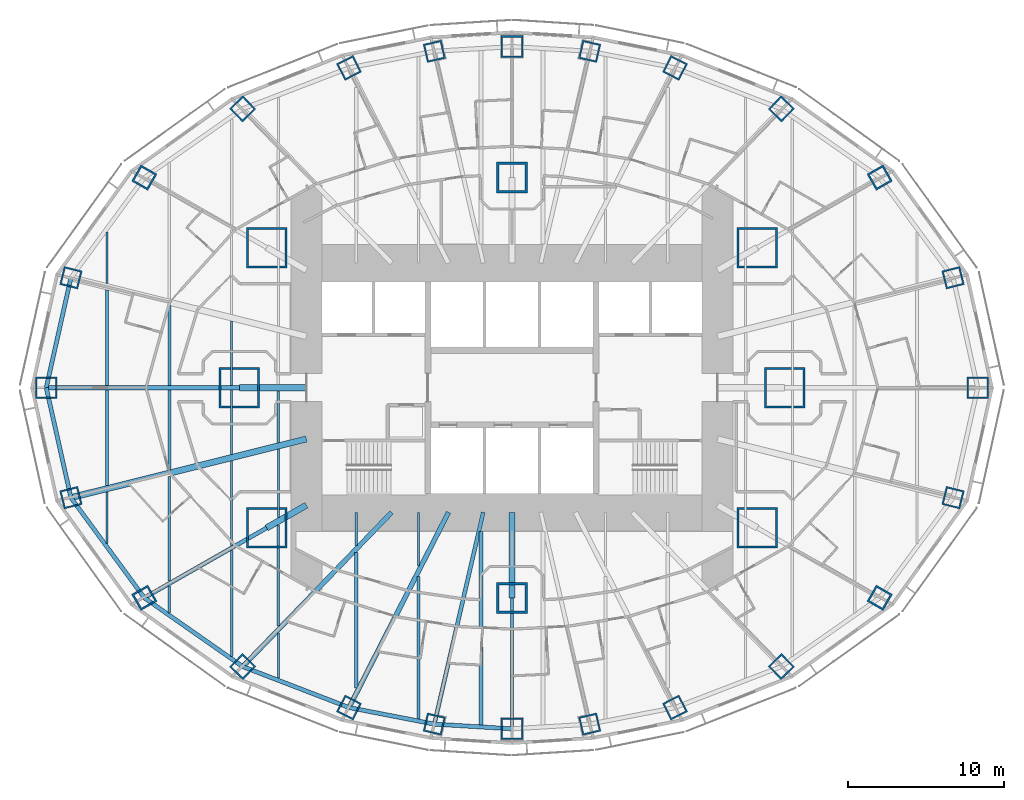
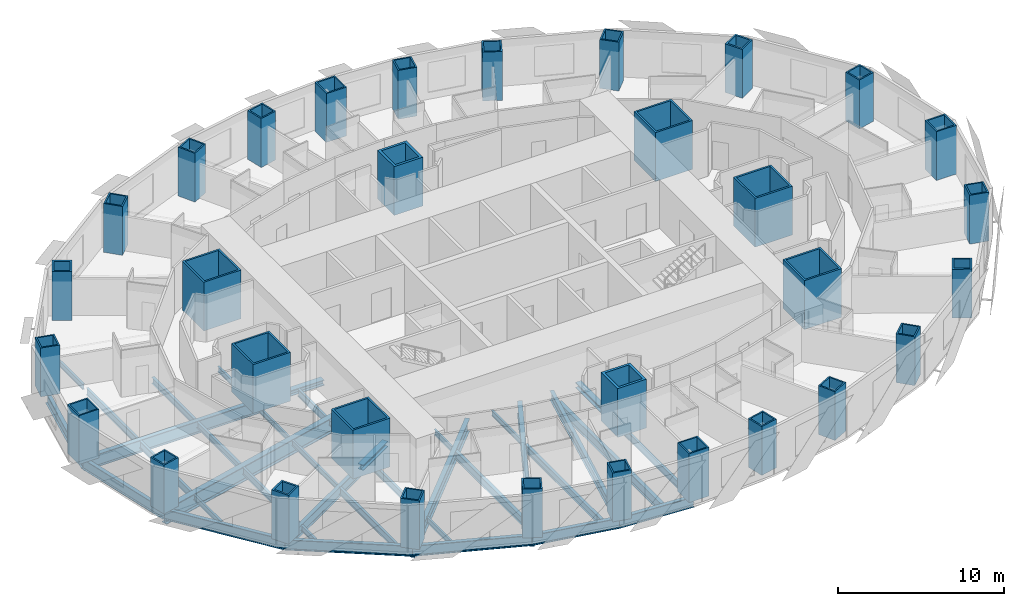
# One storey, part 1 of 17: 38 beams, 32 columns.
"""IFC4 building model written with IfcOpenShell, lengths in metres."""

from ifc_helpers import new_model, si_unit, direction, frame, origin, origin_2d, place, context, subcontext, project, spatial, rectangle, hollow_rectangle, i_section, extrude, material, material_profile, profile_set, type_object, element, save


model = new_model("IFC4")

# Units and contexts
model_context = context("Model", 3, precision=1e-05, world=origin(), true_north=direction((0.0, 1.0)))
body_context = subcontext(model_context, "Body", "Model", "MODEL_VIEW")
ifc_project = project(units=[si_unit("LENGTHUNIT", "METRE"), si_unit("AREAUNIT", "SQUARE_METRE"), si_unit("VOLUMEUNIT", "CUBIC_METRE"), si_unit("PLANEANGLEUNIT", "RADIAN"), si_unit("MASSUNIT", "GRAM", prefix="KILO")], contexts=[model_context])

# Site, building, storey
site_placement = place(None, origin())
site = spatial("IfcSite", under=ifc_project, at=site_placement, CompositionType="ELEMENT")
building_placement = place(site_placement, origin())
building = spatial("IfcBuilding", under=site, at=building_placement, Name="Lantaw Convention Tower", CompositionType="ELEMENT")
storey_placement = place(building_placement, frame((0.0, 0.0, 40.60009765625)))
storey = spatial("IfcBuildingStorey", under=building, at=storey_placement, Name="L07", CompositionType="ELEMENT", Elevation=40.60009765625)

# Columns
ifc_material_1 = material(Name="Steel EN 10025-3 S460N", Category="steel")
ifc_material_profile_1 = material_profile(ifc_material_1, hollow_rectangle(XDim=2.0, YDim=2.0, WallThickness=0.169921875, at=origin_2d()), Name="BOX2000X170")
ifc_material_2 = material(Name="Concrete C60/75", Category="concrete")
ifc_material_profile_2 = material_profile(ifc_material_2, rectangle(XDim=1.659912109375, YDim=1.659912109375, at=origin_2d()), Name="Concrete fill of BOX2000X170")
ifc_profile_set_1 = profile_set([ifc_material_profile_1, ifc_material_profile_2], Name="Steel EN 10025-3 S460N")
column_type_1 = type_object("IfcColumnType", Name="Column MC BOX2000X170", PredefinedType="COLUMN", material=ifc_profile_set_1)
for number, where, z_axis, x_axis, name in (
    (1, (0.0, 13.5, 0.0), (0.0, 0.0, 1.0), (1.0, 0.0, 0.0), "Mega column M3"),
    (2, (0.0, -13.5, 0.0), (0.0, 0.0, 1.0), (1.0, 0.0, 0.0), "Mega column M7"),
):
    element("IfcColumn", number, at=place(storey_placement, frame(where, z_axis=z_axis, x_axis=x_axis)), inside=storey, type_object=column_type_1, Name=name, PredefinedType="COLUMN", context=body_context, shape_type="SweptSolid", body=[
        extrude(hollow_rectangle(XDim=2.0, YDim=2.0, WallThickness=0.169921875, at=origin_2d()), origin(), (0.0, 0.0, 1.0), 3.599853515625),
    ])
ifc_material_profile_3 = material_profile(ifc_material_1, hollow_rectangle(XDim=2.60009765625, YDim=2.60009765625, WallThickness=0.1298828125, at=origin_2d()), Name="BOX2600X130")
ifc_material_profile_4 = material_profile(ifc_material_2, rectangle(XDim=2.340087890625, YDim=2.340087890625, at=origin_2d()), Name="Concrete fill of BOX2600X130")
ifc_profile_set_2 = profile_set([ifc_material_profile_3, ifc_material_profile_4], Name="Steel EN 10025-3 S460N")
column_type_2 = type_object("IfcColumnType", Name="Column MC BOX2600X130", PredefinedType="COLUMN", material=ifc_profile_set_2)
for number, where, z_axis, x_axis, name in (
    (3, (17.5, 0.0, 0.0), (0.0, 0.0, 1.0), (1.0, 0.0, 0.0), "Mega column M1"),
    (4, (15.75, 9.0, 0.0), (0.0, 0.0, 1.0), (1.0, 0.0, 0.0), "Mega column M2"),
    (5, (-15.75, 9.0, 0.0), (0.0, 0.0, 1.0), (1.0, 0.0, 0.0), "Mega column M4"),
    (6, (-17.5, 0.0, 0.0), (0.0, 0.0, 1.0), (1.0, 0.0, 0.0), "Mega column M5"),
    (7, (-15.75, -9.0, 0.0), (0.0, 0.0, 1.0), (1.0, 0.0, 0.0), "Mega column M6"),
    (8, (15.75, -9.0, 0.0), (0.0, 0.0, 1.0), (1.0, 0.0, 0.0), "Mega column M8"),
):
    element("IfcColumn", number, at=place(storey_placement, frame(where, z_axis=z_axis, x_axis=x_axis)), inside=storey, type_object=column_type_2, Name=name, PredefinedType="COLUMN", context=body_context, shape_type="SweptSolid", body=[
        extrude(hollow_rectangle(XDim=2.60009765625, YDim=2.60009765625, WallThickness=0.1298828125, at=origin_2d()), origin(), (0.0, 0.0, 1.0), 3.599853515625),
    ])
ifc_material_profile_5 = material_profile(ifc_material_1, hollow_rectangle(XDim=1.199951171875, YDim=1.199951171875, WallThickness=0.10009765625, at=origin_2d()), Name="BOX1200X100")
ifc_material_profile_6 = material_profile(ifc_material_2, rectangle(XDim=1.0, YDim=1.0, at=origin_2d()), Name="Concrete fill of BOX1200X100")
ifc_profile_set_3 = profile_set([ifc_material_profile_5, ifc_material_profile_6], Name="Steel EN 10025-3 S460N")
column_type_3 = type_object("IfcColumnType", Name="Column PC BOX1200X100", PredefinedType="COLUMN", material=ifc_profile_set_3)
for number, where, z_axis, x_axis, name in (
    (9, (28.31787109375, 7.060302734375, 0.0), (0.0, 0.0, 1.0), (0.970295726276, 0.2419218956, 0.0), "Perimeter column P2"),
    (10, (17.290771484375, 17.9052734375, 0.0), (0.0, 0.0, 1.0), (0.694658370459, 0.719339800339, 0.0), "Perimeter column P4"),
    (11, (10.462646484375, 20.533935546875, 0.0), (0.0, 0.0, 1.0), (0.45399049974, 0.891006524188, 0.0), "Perimeter column P5"),
    (12, (4.986328125, 21.59814453125, 0.0), (0.0, 0.0, 1.0), (0.224951054344, 0.974370064785, 0.0), "Perimeter column P6"),
    (13, (-4.986328125, 21.59814453125, 0.0), (0.0, 0.0, 1.0), (0.974370064785, 0.224951054344, 0.0), "Perimeter column P8"),
    (14, (-10.462646484375, 20.533935546875, 0.0), (0.0, 0.0, 1.0), (0.891006524188, 0.45399049974, 0.0), "Perimeter column P9"),
    (15, (-17.290771484375, 17.9052734375, 0.0), (0.0, 0.0, 1.0), (0.719339800339, 0.694658370459, 0.0), "Perimeter column P10"),
    (16, (-28.31787109375, 7.060302734375, 0.0), (0.0, 0.0, 1.0), (0.2419218956, 0.970295726276, 0.0), "Perimeter column P12"),
    (17, (-28.31787109375, -7.060302734375, 0.0), (0.0, 0.0, 1.0), (0.970295726276, 0.2419218956, 0.0), "Perimeter column P14"),
    (18, (-17.290771484375, -17.9052734375, 0.0), (0.0, 0.0, 1.0), (0.694658370459, 0.719339800339, 0.0), "Perimeter column P16"),
    (19, (-10.462646484375, -20.533935546875, 0.0), (0.0, 0.0, 1.0), (0.45399049974, 0.891006524188, 0.0), "Perimeter column P17"),
    (20, (-4.986328125, -21.59814453125, 0.0), (0.0, 0.0, 1.0), (0.224951054344, 0.974370064785, 0.0), "Perimeter column P18"),
    (21, (4.986328125, -21.59814453125, 0.0), (0.0, 0.0, 1.0), (0.974370064785, 0.224951054344, 0.0), "Perimeter column P20"),
    (22, (10.462646484375, -20.533935546875, 0.0), (0.0, 0.0, 1.0), (0.891006524188, 0.45399049974, 0.0), "Perimeter column P21"),
    (23, (17.290771484375, -17.9052734375, 0.0), (0.0, 0.0, 1.0), (0.719339800339, 0.694658370459, 0.0), "Perimeter column P22"),
    (24, (28.31787109375, -7.060302734375, 0.0), (0.0, 0.0, 1.0), (0.2419218956, 0.970295726276, 0.0), "Perimeter column P24"),
):
    element("IfcColumn", number, at=place(storey_placement, frame(where, z_axis=z_axis, x_axis=x_axis)), inside=storey, type_object=column_type_3, Name=name, PredefinedType="COLUMN", context=body_context, shape_type="SweptSolid", body=[
        extrude(hollow_rectangle(XDim=1.199951171875, YDim=1.199951171875, WallThickness=0.10009765625, at=origin_2d()), origin(), (0.0, 0.0, 1.0), 3.599853515625),
    ])
ifc_material_profile_7 = material_profile(ifc_material_1, hollow_rectangle(XDim=1.199951171875, YDim=1.199951171875, WallThickness=0.1201171875, at=origin_2d()), Name="BOX1200X120")
ifc_material_profile_8 = material_profile(ifc_material_2, rectangle(XDim=0.9599609375, YDim=0.9599609375, at=origin_2d()), Name="Concrete fill of BOX1200X120")
ifc_profile_set_4 = profile_set([ifc_material_profile_7, ifc_material_profile_8], Name="Steel EN 10025-3 S460N")
column_type_4 = type_object("IfcColumnType", Name="Column PC BOX1200X120", PredefinedType="COLUMN", material=ifc_profile_set_4)
for number, where, z_axis, x_axis, name in (
    (25, (23.60498046875, 13.488525390625, 0.0), (0.0, 0.0, 1.0), (0.86824298017, 0.496139221777, 0.0), "Perimeter column P3"),
    (26, (-23.60498046875, 13.488525390625, 0.0), (0.0, 0.0, 1.0), (0.496139221777, 0.86824298017, 0.0), "Perimeter column P11"),
    (27, (-23.60498046875, -13.488525390625, 0.0), (0.0, 0.0, 1.0), (0.86824298017, 0.496139221777, 0.0), "Perimeter column P15"),
    (28, (23.60498046875, -13.488525390625, 0.0), (0.0, 0.0, 1.0), (0.496139221777, 0.86824298017, 0.0), "Perimeter column P23"),
):
    element("IfcColumn", number, at=place(storey_placement, frame(where, z_axis=z_axis, x_axis=x_axis)), inside=storey, type_object=column_type_4, Name=name, PredefinedType="COLUMN", context=body_context, shape_type="SweptSolid", body=[
        extrude(hollow_rectangle(XDim=1.199951171875, YDim=1.199951171875, WallThickness=0.1201171875, at=origin_2d()), origin(), (0.0, 0.0, 1.0), 3.599853515625),
    ])
ifc_material_profile_9 = material_profile(ifc_material_1, hollow_rectangle(XDim=1.39990234375, YDim=1.39990234375, WallThickness=0.10009765625, at=origin_2d()), Name="BOX1400X100")
ifc_material_profile_10 = material_profile(ifc_material_2, rectangle(XDim=1.199951171875, YDim=1.199951171875, at=origin_2d()), Name="Concrete fill of BOX1400X100")
ifc_profile_set_5 = profile_set([ifc_material_profile_9, ifc_material_profile_10], Name="Steel EN 10025-3 S460N")
column_type_5 = type_object("IfcColumnType", Name="Column PC BOX1400X100", PredefinedType="COLUMN", material=ifc_profile_set_5)
for number, where, z_axis, x_axis, name in (
    (29, (29.89990234375, 0.0, 0.0), (0.0, 0.0, 1.0), (1.0, 0.0, 0.0), "Perimeter column P1"),
    (30, (0.0, 21.89990234375, 0.0), (0.0, 0.0, 1.0), (1.0, 0.0, 0.0), "Perimeter column P7"),
    (31, (-29.89990234375, 0.0, 0.0), (0.0, 0.0, 1.0), (1.0, 0.0, 0.0), "Perimeter column P13"),
    (32, (0.0, -21.89990234375, 0.0), (0.0, 0.0, 1.0), (1.0, 0.0, 0.0), "Perimeter column P19"),
):
    element("IfcColumn", number, at=place(storey_placement, frame(where, z_axis=z_axis, x_axis=x_axis)), inside=storey, type_object=column_type_5, Name=name, PredefinedType="COLUMN", context=body_context, shape_type="SweptSolid", body=[
        extrude(hollow_rectangle(XDim=1.39990234375, YDim=1.39990234375, WallThickness=0.10009765625, at=origin_2d()), origin(), (0.0, 0.0, 1.0), 3.599853515625),
    ])

# Beams
ifc_material_3 = material(Name="Steel ASTM A992", Category="steel")
ifc_material_profile_11 = material_profile(ifc_material_3, i_section(OverallWidth=0.2666015625, OverallDepth=0.76953125, WebThickness=0.015625, FlangeThickness=0.025390625, FilletRadius=0.0126953125, at=origin_2d()), Name="W30X132")
ifc_profile_set_6 = profile_set([ifc_material_profile_11], Name="Steel ASTM A992")
beam_type_1 = type_object("IfcBeamType", Name="Beam E W30X132", PredefinedType="SPANDREL", material=ifc_profile_set_6)
for number, where, z_axis, x_axis, name in (
    (33, (-28.31787109375, 7.060302734375, -0.534912109375), (-0.218652184873, -0.975802860239, 0.0), (0.975802860239, -0.218652184873, 0.0), "Edge beam 12"),
    (34, (-29.89990234375, 0.0, -0.534912109375), (0.218652184873, -0.975802860239, 0.0), (0.975802860239, 0.218652184873, 0.0), "Edge beam 13"),
):
    element("IfcBeam", number, at=place(storey_placement, frame(where, z_axis=z_axis, x_axis=x_axis)), inside=storey, type_object=beam_type_1, Name=name, PredefinedType="SPANDREL", context=body_context, shape_type="SweptSolid", body=[
        extrude(i_section(OverallWidth=0.2666015625, OverallDepth=0.76953125, WebThickness=0.015625, FlangeThickness=0.025390625, FilletRadius=0.0126953125, at=origin_2d()), origin(), (0.0, 0.0, 1.0), 7.2353515625),
    ])
beam_1_placement = place(storey_placement, frame((-28.31787109375, -7.060302734375, -0.534912109375), z_axis=(0.591270709086, -0.806473154281, 0.0), x_axis=(0.806473154281, 0.591270709086, 0.0)))
element("IfcBeam", 35, at=beam_1_placement, inside=storey, type_object=beam_type_1, Name="Edge beam 14", PredefinedType="SPANDREL", context=body_context, shape_type="SweptSolid", body=[
    extrude(i_section(OverallWidth=0.2666015625, OverallDepth=0.76953125, WebThickness=0.015625, FlangeThickness=0.025390625, FilletRadius=0.0126953125, at=origin_2d()), origin(), (0.0, 0.0, 1.0), 7.970703125),
])
beam_2_placement = place(storey_placement, frame((-23.60498046875, -13.488525390625, -0.534912109375), z_axis=(0.81942686407, -0.57318375277, 0.0), x_axis=(0.57318375277, 0.81942686407, 0.0)))
element("IfcBeam", 36, at=beam_2_placement, inside=storey, type_object=beam_type_1, Name="Edge beam 15", PredefinedType="SPANDREL", context=body_context, shape_type="SweptSolid", body=[
    extrude(i_section(OverallWidth=0.2666015625, OverallDepth=0.76953125, WebThickness=0.015625, FlangeThickness=0.025390625, FilletRadius=0.0126953125, at=origin_2d()), origin(), (0.0, 0.0, 1.0), 7.70556640625),
])
beam_3_placement = place(storey_placement, frame((-17.290771484375, -17.9052734375, -0.534912109375), z_axis=(0.933232900641, -0.359271976588, 0.0), x_axis=(0.359271976588, 0.933232900641, 0.0)))
element("IfcBeam", 37, at=beam_3_placement, inside=storey, type_object=beam_type_1, Name="Edge beam 16", PredefinedType="SPANDREL", context=body_context, shape_type="SweptSolid", body=[
    extrude(i_section(OverallWidth=0.2666015625, OverallDepth=0.76953125, WebThickness=0.015625, FlangeThickness=0.025390625, FilletRadius=0.0126953125, at=origin_2d()), origin(), (0.0, 0.0, 1.0), 7.316650390625),
])
beam_4_placement = place(storey_placement, frame((-10.462646484375, -20.533935546875, -0.534912109375), z_axis=(0.981636565323, -0.190760723474, 0.0), x_axis=(0.190760723474, 0.981636565323, 0.0)))
element("IfcBeam", 38, at=beam_4_placement, inside=storey, type_object=beam_type_1, Name="Edge beam 17", PredefinedType="SPANDREL", context=body_context, shape_type="SweptSolid", body=[
    extrude(i_section(OverallWidth=0.2666015625, OverallDepth=0.76953125, WebThickness=0.015625, FlangeThickness=0.025390625, FilletRadius=0.0126953125, at=origin_2d()), origin(), (0.0, 0.0, 1.0), 5.578857421875),
])
beam_5_placement = place(storey_placement, frame((-4.986328125, -21.59814453125, -0.534912109375), z_axis=(0.998173858406, -0.060406526096, 0.0), x_axis=(0.060406526096, 0.998173858406, 0.0)))
element("IfcBeam", 39, at=beam_5_placement, inside=storey, type_object=beam_type_1, Name="Edge beam 18", PredefinedType="SPANDREL", context=body_context, shape_type="SweptSolid", body=[
    extrude(i_section(OverallWidth=0.2666015625, OverallDepth=0.76953125, WebThickness=0.015625, FlangeThickness=0.025390625, FilletRadius=0.0126953125, at=origin_2d()), origin(), (0.0, 0.0, 1.0), 4.995361328125),
])
ifc_material_profile_12 = material_profile(ifc_material_3, i_section(OverallWidth=0.1650390625, OverallDepth=0.52587890625, WebThickness=0.0087890625, FlangeThickness=0.011474609375, FilletRadius=0.0126953125, at=origin_2d()), Name="W21X44")
ifc_profile_set_7 = profile_set([ifc_material_profile_12], Name="Steel ASTM A992")
beam_type_2 = type_object("IfcBeamType", Name="Beam G W21X44", PredefinedType="BEAM", material=ifc_profile_set_7)
beam_6_placement = place(storey_placement, frame((0.0, -13.5, -0.4130859375), z_axis=(0.0, -1.0, 0.0), x_axis=(1.0, 0.0, 0.0)))
element("IfcBeam", 40, at=beam_6_placement, inside=storey, type_object=beam_type_2, Name="Floor girder on ray 19", PredefinedType="BEAM", context=body_context, shape_type="SweptSolid", body=[
    extrude(i_section(OverallWidth=0.1650390625, OverallDepth=0.52587890625, WebThickness=0.0087890625, FlangeThickness=0.011474609375, FilletRadius=0.0126953125, at=origin_2d()), origin(), (0.0, 0.0, 1.0), 8.39990234375),
])
ifc_material_profile_13 = material_profile(ifc_material_3, i_section(OverallWidth=0.25390625, OverallDepth=0.683349609375, WebThickness=0.012451171875, FlangeThickness=0.01904296875, FilletRadius=0.01513671875, at=origin_2d()), Name="W27X94")
ifc_profile_set_8 = profile_set([ifc_material_profile_13], Name="Steel ASTM A992")
beam_type_3 = type_object("IfcBeamType", Name="Beam G W27X94", PredefinedType="BEAM", material=ifc_profile_set_8)
beam_7_placement = place(storey_placement, frame((-1.846923828125, -8.0, -0.49169921875), z_axis=(-0.224952773175, -0.97436966796, 0.0), x_axis=(0.97436966796, -0.224952773175, 0.0)))
element("IfcBeam", 41, at=beam_7_placement, inside=storey, type_object=beam_type_3, Name="Floor girder on ray 18", PredefinedType="BEAM", context=body_context, shape_type="SweptSolid", body=[
    extrude(i_section(OverallWidth=0.25390625, OverallDepth=0.683349609375, WebThickness=0.012451171875, FlangeThickness=0.01904296875, FilletRadius=0.01513671875, at=origin_2d()), origin(), (0.0, 0.0, 1.0), 13.955810546875),
])
ifc_material_profile_14 = material_profile(ifc_material_3, i_section(OverallWidth=0.2666015625, OverallDepth=0.7568359375, WebThickness=0.013916015625, FlangeThickness=0.019287109375, FilletRadius=0.0126953125, at=origin_2d()), Name="W30X108")
ifc_profile_set_9 = profile_set([ifc_material_profile_14], Name="Steel ASTM A992")
beam_type_4 = type_object("IfcBeamType", Name="Beam G W30X108", PredefinedType="BEAM", material=ifc_profile_set_9)
beam_8_placement = place(storey_placement, frame((-15.75, -9.0, -0.528564453125), z_axis=(-0.868244802791, -0.496136032179, 0.0), x_axis=(0.496136032179, -0.868244802791, 0.0)))
element("IfcBeam", 42, at=beam_8_placement, inside=storey, type_object=beam_type_4, Name="Floor girder on ray 15", PredefinedType="BEAM", context=body_context, shape_type="SweptSolid", body=[
    extrude(i_section(OverallWidth=0.2666015625, OverallDepth=0.7568359375, WebThickness=0.013916015625, FlangeThickness=0.019287109375, FilletRadius=0.0126953125, at=origin_2d()), origin(), (0.0, 0.0, 1.0), 9.046875),
])
ifc_material_profile_15 = material_profile(ifc_material_3, i_section(OverallWidth=0.307373046875, OverallDepth=0.922119140625, WebThickness=0.018310546875, FlangeThickness=0.030029296875, FilletRadius=0.0126953125, at=origin_2d()), Name="W36X182")
ifc_profile_set_10 = profile_set([ifc_material_profile_15], Name="Steel ASTM A992")
beam_type_5 = type_object("IfcBeamType", Name="Beam G W36X182", PredefinedType="BEAM", material=ifc_profile_set_10)
beam_9_placement = place(storey_placement, frame((-17.5, 0.0, -0.611083984375), z_axis=(-1.0, 0.0, 0.0), x_axis=(0.0, -1.0, 0.0)))
element("IfcBeam", 43, at=beam_9_placement, inside=storey, type_object=beam_type_5, Name="Floor girder on ray 13", PredefinedType="BEAM", context=body_context, shape_type="SweptSolid", body=[
    extrude(i_section(OverallWidth=0.307373046875, OverallDepth=0.922119140625, WebThickness=0.018310546875, FlangeThickness=0.030029296875, FilletRadius=0.0126953125, at=origin_2d()), origin(), (0.0, 0.0, 1.0), 12.39990234375),
])
beam_10_placement = place(storey_placement, frame((-7.7255859375, -8.0, -0.611083984375), z_axis=(-0.694649884291, -0.719347995239, 0.0), x_axis=(0.719347995239, -0.694649884291, 0.0)))
element("IfcBeam", 44, at=beam_10_placement, inside=storey, type_object=beam_type_5, Name="Floor girder on ray 16", PredefinedType="BEAM", context=body_context, shape_type="SweptSolid", body=[
    extrude(i_section(OverallWidth=0.307373046875, OverallDepth=0.922119140625, WebThickness=0.018310546875, FlangeThickness=0.030029296875, FilletRadius=0.0126953125, at=origin_2d()), origin(), (0.0, 0.0, 1.0), 13.769775390625),
])
beam_11_placement = place(storey_placement, frame((-4.076171875, -8.0, -0.611083984375), z_axis=(-0.453997016122, -0.891003203896, 0.0), x_axis=(0.891003203896, -0.453997016122, 0.0)))
element("IfcBeam", 45, at=beam_11_placement, inside=storey, type_object=beam_type_5, Name="Floor girder on ray 17", PredefinedType="BEAM", context=body_context, shape_type="SweptSolid", body=[
    extrude(i_section(OverallWidth=0.307373046875, OverallDepth=0.922119140625, WebThickness=0.018310546875, FlangeThickness=0.030029296875, FilletRadius=0.0126953125, at=origin_2d()), origin(), (0.0, 0.0, 1.0), 14.067138671875),
])
ifc_material_profile_16 = material_profile(ifc_material_3, i_section(OverallWidth=0.40380859375, OverallDepth=1.11767578125, WebThickness=0.026123046875, FlangeThickness=0.044921875, FilletRadius=0.02001953125, at=origin_2d()), Name="W44X335")
ifc_profile_set_11 = profile_set([ifc_material_profile_16], Name="Steel ASTM A992")
beam_type_6 = type_object("IfcBeamType", Name="Beam G W44X335", PredefinedType="BEAM", material=ifc_profile_set_11)
beam_12_placement = place(storey_placement, frame((-13.199951171875, -3.291015625, -0.708984375), z_axis=(-0.970296233567, -0.241919860957, 0.0), x_axis=(0.241919860957, -0.970296233567, 0.0)))
element("IfcBeam", 46, at=beam_12_placement, inside=storey, type_object=beam_type_6, Name="Floor girder on ray 14", PredefinedType="BEAM", context=body_context, shape_type="SweptSolid", body=[
    extrude(i_section(OverallWidth=0.40380859375, OverallDepth=1.11767578125, WebThickness=0.026123046875, FlangeThickness=0.044921875, FilletRadius=0.02001953125, at=origin_2d()), origin(), (0.0, 0.0, 1.0), 15.580810546875),
])
ifc_material_profile_17 = material_profile(ifc_material_3, i_section(OverallWidth=0.40380859375, OverallDepth=0.406494140625, WebThickness=0.027099609375, FlangeThickness=0.043701171875, FilletRadius=0.01513671875, at=origin_2d()), Name="W14X233")
ifc_profile_set_12 = profile_set([ifc_material_profile_17], Name="Steel ASTM A992")
beam_type_7 = type_object("IfcBeamType", Name="Beam GM W14X233", PredefinedType="BEAM", material=ifc_profile_set_12)
beam_13_placement = place(storey_placement, frame((-13.199951171875, 0.0, -0.353271484375), z_axis=(-1.0, 0.0, 0.0), x_axis=(0.0, -1.0, 0.0)))
element("IfcBeam", 47, at=beam_13_placement, inside=storey, type_object=beam_type_7, Name="Core link beam on ray 13", PredefinedType="BEAM", context=body_context, shape_type="SweptSolid", body=[
    extrude(i_section(OverallWidth=0.40380859375, OverallDepth=0.406494140625, WebThickness=0.027099609375, FlangeThickness=0.043701171875, FilletRadius=0.01513671875, at=origin_2d()), origin(), (0.0, 0.0, 1.0), 4.300048828125),
])
beam_14_placement = place(storey_placement, frame((-13.199951171875, -7.54296875, -0.353271484375), z_axis=(-0.868263603466, -0.496103129295, 0.0), x_axis=(0.496103129295, -0.868263603466, 0.0)))
element("IfcBeam", 48, at=beam_14_placement, inside=storey, type_object=beam_type_7, Name="Core link beam on ray 15", PredefinedType="BEAM", context=body_context, shape_type="SweptSolid", body=[
    extrude(i_section(OverallWidth=0.40380859375, OverallDepth=0.406494140625, WebThickness=0.027099609375, FlangeThickness=0.043701171875, FilletRadius=0.01513671875, at=origin_2d()), origin(), (0.0, 0.0, 1.0), 2.93701171875),
])
beam_15_placement = place(storey_placement, frame((0.0, -8.0, -0.353271484375), z_axis=(0.0, -1.0, 0.0), x_axis=(1.0, 0.0, 0.0)))
element("IfcBeam", 49, at=beam_15_placement, inside=storey, type_object=beam_type_7, Name="Core link beam on ray 19", PredefinedType="BEAM", context=body_context, shape_type="SweptSolid", body=[
    extrude(i_section(OverallWidth=0.40380859375, OverallDepth=0.406494140625, WebThickness=0.027099609375, FlangeThickness=0.043701171875, FilletRadius=0.01513671875, at=origin_2d()), origin(), (0.0, 0.0, 1.0), 5.5),
])
ifc_material_profile_18 = material_profile(ifc_material_3, i_section(OverallWidth=0.140380859375, OverallDepth=0.40380859375, WebThickness=0.007080078125, FlangeThickness=0.01123046875, FilletRadius=0.01025390625, at=origin_2d()), Name="W16X31")
ifc_profile_set_13 = profile_set([ifc_material_profile_18], Name="Steel ASTM A992")
beam_type_8 = type_object("IfcBeamType", Name="Beam J W16X31", PredefinedType="JOIST", material=ifc_profile_set_13)
for number, where, z_axis, x_axis, name in (
    (50, (-26.0, -9.996337890625, -0.35205078125), (0.0, 1.0, 0.0), (-1.0, 0.0, 0.0), "Floor joist"),
    (51, (-26.0, 6.690673828125, -0.35205078125), (0.0, 1.0, 0.0), (-1.0, 0.0, 0.0), "Floor joist"),
):
    element("IfcBeam", number, at=place(storey_placement, frame(where, z_axis=z_axis, x_axis=x_axis)), inside=storey, type_object=beam_type_8, Name=name, PredefinedType="JOIST", context=body_context, shape_type="SweptSolid", body=[
        extrude(i_section(OverallWidth=0.140380859375, OverallDepth=0.40380859375, WebThickness=0.007080078125, FlangeThickness=0.01123046875, FilletRadius=0.01025390625, at=origin_2d()), origin(), (0.0, 0.0, 1.0), 3.3056640625),
    ])
beam_16_placement = place(storey_placement, frame((-22.0, -14.448486328125, -0.35205078125), z_axis=(0.0, 1.0, 0.0), x_axis=(-1.0, 0.0, 0.0)))
element("IfcBeam", 52, at=beam_16_placement, inside=storey, type_object=beam_type_8, Name="Floor joist", PredefinedType="JOIST", context=body_context, shape_type="SweptSolid", body=[
    extrude(i_section(OverallWidth=0.140380859375, OverallDepth=0.40380859375, WebThickness=0.007080078125, FlangeThickness=0.01123046875, FilletRadius=0.01025390625, at=origin_2d()), origin(), (0.0, 0.0, 1.0), 1.723388671875),
])
beam_17_placement = place(storey_placement, frame((-18.0, -10.132080078125, -0.35205078125), z_axis=(0.0, 1.0, 0.0), x_axis=(-1.0, 0.0, 0.0)))
element("IfcBeam", 53, at=beam_17_placement, inside=storey, type_object=beam_type_8, Name="Floor joist", PredefinedType="JOIST", context=body_context, shape_type="SweptSolid", body=[
    extrude(i_section(OverallWidth=0.140380859375, OverallDepth=0.40380859375, WebThickness=0.007080078125, FlangeThickness=0.01123046875, FilletRadius=0.01025390625, at=origin_2d()), origin(), (0.0, 0.0, 1.0), 5.43603515625),
])
for number, where, z_axis, x_axis, name in (
    (54, (-18.0, -4.27978515625, -0.35205078125), (0.0, 1.0, 0.0), (-1.0, 0.0, 0.0), "Floor joist"),
    (55, (-18.0, 0.153564453125, -0.35205078125), (0.0, 1.0, 0.0), (-1.0, 0.0, 0.0), "Floor joist"),
):
    element("IfcBeam", number, at=place(storey_placement, frame(where, z_axis=z_axis, x_axis=x_axis)), inside=storey, type_object=beam_type_8, Name=name, PredefinedType="JOIST", context=body_context, shape_type="SweptSolid", body=[
        extrude(i_section(OverallWidth=0.140380859375, OverallDepth=0.40380859375, WebThickness=0.007080078125, FlangeThickness=0.01123046875, FilletRadius=0.01025390625, at=origin_2d()), origin(), (0.0, 0.0, 1.0), 4.126220703125),
    ])
beam_18_placement = place(storey_placement, frame((-15.0, -18.644287109375, -0.35205078125), z_axis=(0.0, 1.0, 0.0), x_axis=(-1.0, 0.0, 0.0)))
element("IfcBeam", 56, at=beam_18_placement, inside=storey, type_object=beam_type_8, Name="Floor joist", PredefinedType="JOIST", context=body_context, shape_type="SweptSolid", body=[
    extrude(i_section(OverallWidth=0.140380859375, OverallDepth=0.40380859375, WebThickness=0.007080078125, FlangeThickness=0.01123046875, FilletRadius=0.01025390625, at=origin_2d()), origin(), (0.0, 0.0, 1.0), 2.89013671875),
])
beam_19_placement = place(storey_placement, frame((-15.0, -8.3388671875, -0.35205078125), z_axis=(0.0, 1.0, 0.0), x_axis=(-1.0, 0.0, 0.0)))
element("IfcBeam", 57, at=beam_19_placement, inside=storey, type_object=beam_type_8, Name="Floor joist", PredefinedType="JOIST", context=body_context, shape_type="SweptSolid", body=[
    extrude(i_section(OverallWidth=0.140380859375, OverallDepth=0.40380859375, WebThickness=0.007080078125, FlangeThickness=0.01123046875, FilletRadius=0.01025390625, at=origin_2d()), origin(), (0.0, 0.0, 1.0), 4.390869140625),
])
beam_20_placement = place(storey_placement, frame((-10.0, -10.134033203125, -0.35205078125), z_axis=(0.0, 1.0, 0.0), x_axis=(-1.0, 0.0, 0.0)))
element("IfcBeam", 58, at=beam_20_placement, inside=storey, type_object=beam_type_8, Name="Floor joist", PredefinedType="JOIST", context=body_context, shape_type="SweptSolid", body=[
    extrude(i_section(OverallWidth=0.140380859375, OverallDepth=0.40380859375, WebThickness=0.007080078125, FlangeThickness=0.01123046875, FilletRadius=0.01025390625, at=origin_2d()), origin(), (0.0, 0.0, 1.0), 2.134033203125),
])
beam_21_placement = place(storey_placement, frame((-6.0, -11.437255859375, -0.35205078125), z_axis=(0.0, 1.0, 0.0), x_axis=(-1.0, 0.0, 0.0)))
element("IfcBeam", 59, at=beam_21_placement, inside=storey, type_object=beam_type_8, Name="Floor joist", PredefinedType="JOIST", context=body_context, shape_type="SweptSolid", body=[
    extrude(i_section(OverallWidth=0.140380859375, OverallDepth=0.40380859375, WebThickness=0.007080078125, FlangeThickness=0.01123046875, FilletRadius=0.01025390625, at=origin_2d()), origin(), (0.0, 0.0, 1.0), 3.437255859375),
])
ifc_material_profile_19 = material_profile(ifc_material_3, i_section(OverallWidth=0.1904296875, OverallDepth=0.457275390625, WebThickness=0.009033203125, FlangeThickness=0.014404296875, FilletRadius=0.01025390625, at=origin_2d()), Name="W18X50")
ifc_profile_set_14 = profile_set([ifc_material_profile_19], Name="Steel ASTM A992")
beam_type_9 = type_object("IfcBeamType", Name="Beam J W18X50", PredefinedType="JOIST", material=ifc_profile_set_14)
for number, where, z_axis, x_axis, name in (
    (60, (-22.0, -5.277099609375, -0.378662109375), (0.0, 1.0, 0.0), (-1.0, 0.0, 0.0), "Floor joist"),
    (61, (-22.0, 0.153564453125, -0.378662109375), (0.0, 1.0, 0.0), (-1.0, 0.0, 0.0), "Floor joist"),
):
    element("IfcBeam", number, at=place(storey_placement, frame(where, z_axis=z_axis, x_axis=x_axis)), inside=storey, type_object=beam_type_9, Name=name, PredefinedType="JOIST", context=body_context, shape_type="SweptSolid", body=[
        extrude(i_section(OverallWidth=0.1904296875, OverallDepth=0.457275390625, WebThickness=0.009033203125, FlangeThickness=0.014404296875, FilletRadius=0.01025390625, at=origin_2d()), origin(), (0.0, 0.0, 1.0), 5.12353515625),
    ])
ifc_material_profile_20 = material_profile(ifc_material_3, i_section(OverallWidth=0.1650390625, OverallDepth=0.52587890625, WebThickness=0.0087890625, FlangeThickness=0.011474609375, FilletRadius=0.0126953125, at=origin_2d()), Name="W21X44")
ifc_profile_set_15 = profile_set([ifc_material_profile_20], Name="Steel ASTM A992")
beam_type_10 = type_object("IfcBeamType", Name="Beam J W21X44", PredefinedType="JOIST", material=ifc_profile_set_15)
beam_22_placement = place(storey_placement, frame((-22.0, -12.41796875, -0.4130859375), z_axis=(0.0, 1.0, 0.0), x_axis=(-1.0, 0.0, 0.0)))
element("IfcBeam", 62, at=beam_22_placement, inside=storey, type_object=beam_type_10, Name="Floor joist", PredefinedType="JOIST", context=body_context, shape_type="SweptSolid", body=[
    extrude(i_section(OverallWidth=0.1650390625, OverallDepth=0.52587890625, WebThickness=0.0087890625, FlangeThickness=0.011474609375, FilletRadius=0.0126953125, at=origin_2d()), origin(), (0.0, 0.0, 1.0), 6.724609375),
])
beam_23_placement = place(storey_placement, frame((-18.0, -17.246337890625, -0.4130859375), z_axis=(0.0, 1.0, 0.0), x_axis=(-1.0, 0.0, 0.0)))
element("IfcBeam", 63, at=beam_23_placement, inside=storey, type_object=beam_type_10, Name="Floor joist", PredefinedType="JOIST", context=body_context, shape_type="SweptSolid", body=[
    extrude(i_section(OverallWidth=0.1650390625, OverallDepth=0.52587890625, WebThickness=0.0087890625, FlangeThickness=0.011474609375, FilletRadius=0.0126953125, at=origin_2d()), origin(), (0.0, 0.0, 1.0), 6.80712890625),
])
beam_24_placement = place(storey_placement, frame((-15.0, -15.311767578125, -0.4130859375), z_axis=(0.0, 1.0, 0.0), x_axis=(-1.0, 0.0, 0.0)))
element("IfcBeam", 64, at=beam_24_placement, inside=storey, type_object=beam_type_10, Name="Floor joist", PredefinedType="JOIST", context=body_context, shape_type="SweptSolid", body=[
    extrude(i_section(OverallWidth=0.1650390625, OverallDepth=0.52587890625, WebThickness=0.0087890625, FlangeThickness=0.011474609375, FilletRadius=0.0126953125, at=origin_2d()), origin(), (0.0, 0.0, 1.0), 6.5078125),
])
ifc_material_profile_21 = material_profile(ifc_material_3, i_section(OverallWidth=0.165771484375, OverallDepth=0.5283203125, WebThickness=0.009765625, FlangeThickness=0.013671875, FilletRadius=0.012939453125, at=origin_2d()), Name="W21X50")
ifc_profile_set_16 = profile_set([ifc_material_profile_21], Name="Steel ASTM A992")
beam_type_11 = type_object("IfcBeamType", Name="Beam J W21X50", PredefinedType="JOIST", material=ifc_profile_set_16)
for number, where, z_axis, x_axis, name in (
    (65, (-26.0, -6.2744140625, -0.414306640625), (0.0, 1.0, 0.0), (-1.0, 0.0, 0.0), "Floor joist"),
    (66, (-26.0, 0.153564453125, -0.414306640625), (0.0, 1.0, 0.0), (-1.0, 0.0, 0.0), "Floor joist"),
):
    element("IfcBeam", number, at=place(storey_placement, frame(where, z_axis=z_axis, x_axis=x_axis)), inside=storey, type_object=beam_type_11, Name=name, PredefinedType="JOIST", context=body_context, shape_type="SweptSolid", body=[
        extrude(i_section(OverallWidth=0.165771484375, OverallDepth=0.5283203125, WebThickness=0.009765625, FlangeThickness=0.013671875, FilletRadius=0.012939453125, at=origin_2d()), origin(), (0.0, 0.0, 1.0), 6.120849609375),
    ])
beam_25_placement = place(storey_placement, frame((-15.0, -3.53173828125, -0.414306640625), z_axis=(0.0, 1.0, 0.0), x_axis=(-1.0, 0.0, 0.0)))
element("IfcBeam", 67, at=beam_25_placement, inside=storey, type_object=beam_type_11, Name="Floor joist", PredefinedType="JOIST", context=body_context, shape_type="SweptSolid", body=[
    extrude(i_section(OverallWidth=0.165771484375, OverallDepth=0.5283203125, WebThickness=0.009765625, FlangeThickness=0.013671875, FilletRadius=0.012939453125, at=origin_2d()), origin(), (0.0, 0.0, 1.0), 3.329833984375),
])
ifc_material_profile_22 = material_profile(ifc_material_3, i_section(OverallWidth=0.2099609375, OverallDepth=0.535888671875, WebThickness=0.010986328125, FlangeThickness=0.017333984375, FilletRadius=0.012939453125, at=origin_2d()), Name="W21X68")
ifc_profile_set_17 = profile_set([ifc_material_profile_22], Name="Steel ASTM A992")
beam_type_12 = type_object("IfcBeamType", Name="Beam J W21X68", PredefinedType="JOIST", material=ifc_profile_set_17)
beam_26_placement = place(storey_placement, frame((-6.0, -21.26513671875, -0.41796875), z_axis=(0.0, 1.0, 0.0), x_axis=(-1.0, 0.0, 0.0)))
element("IfcBeam", 68, at=beam_26_placement, inside=storey, type_object=beam_type_12, Name="Floor joist", PredefinedType="JOIST", context=body_context, shape_type="SweptSolid", body=[
    extrude(i_section(OverallWidth=0.2099609375, OverallDepth=0.535888671875, WebThickness=0.010986328125, FlangeThickness=0.017333984375, FilletRadius=0.012939453125, at=origin_2d()), origin(), (0.0, 0.0, 1.0), 9.15087890625),
])
ifc_material_profile_23 = material_profile(ifc_material_3, i_section(OverallWidth=0.227783203125, OverallDepth=0.60205078125, WebThickness=0.010498046875, FlangeThickness=0.014892578125, FilletRadius=0.012939453125, at=origin_2d()), Name="W24X68")
ifc_profile_set_18 = profile_set([ifc_material_profile_23], Name="Steel ASTM A992")
beam_type_13 = type_object("IfcBeamType", Name="Beam J W24X68", PredefinedType="JOIST", material=ifc_profile_set_18)
beam_27_placement = place(storey_placement, frame((-10.0, -19.28759765625, -0.451171875), z_axis=(0.0, 1.0, 0.0), x_axis=(-1.0, 0.0, 0.0)))
element("IfcBeam", 69, at=beam_27_placement, inside=storey, type_object=beam_type_13, Name="Floor joist", PredefinedType="JOIST", context=body_context, shape_type="SweptSolid", body=[
    extrude(i_section(OverallWidth=0.227783203125, OverallDepth=0.60205078125, WebThickness=0.010498046875, FlangeThickness=0.014892578125, FilletRadius=0.012939453125, at=origin_2d()), origin(), (0.0, 0.0, 1.0), 8.711181640625),
])
ifc_material_profile_24 = material_profile(ifc_material_3, i_section(OverallWidth=0.25390625, OverallDepth=0.700927734375, WebThickness=0.015380859375, FlangeThickness=0.02783203125, FilletRadius=0.01513671875, at=origin_2d()), Name="W27X129")
ifc_profile_set_19 = profile_set([ifc_material_profile_24], Name="Steel ASTM A992")
beam_type_14 = type_object("IfcBeamType", Name="Beam J W27X129", PredefinedType="JOIST", material=ifc_profile_set_19)
beam_28_placement = place(storey_placement, frame((-2.0, -21.645263671875, -0.500732421875), z_axis=(0.0, 1.0, 0.0), x_axis=(-1.0, 0.0, 0.0)))
element("IfcBeam", 70, at=beam_28_placement, inside=storey, type_object=beam_type_14, Name="Floor joist", PredefinedType="JOIST", context=body_context, shape_type="SweptSolid", body=[
    extrude(i_section(OverallWidth=0.25390625, OverallDepth=0.700927734375, WebThickness=0.015380859375, FlangeThickness=0.02783203125, FilletRadius=0.01513671875, at=origin_2d()), origin(), (0.0, 0.0, 1.0), 12.417724609375),
])

save(model, "model.ifc")
